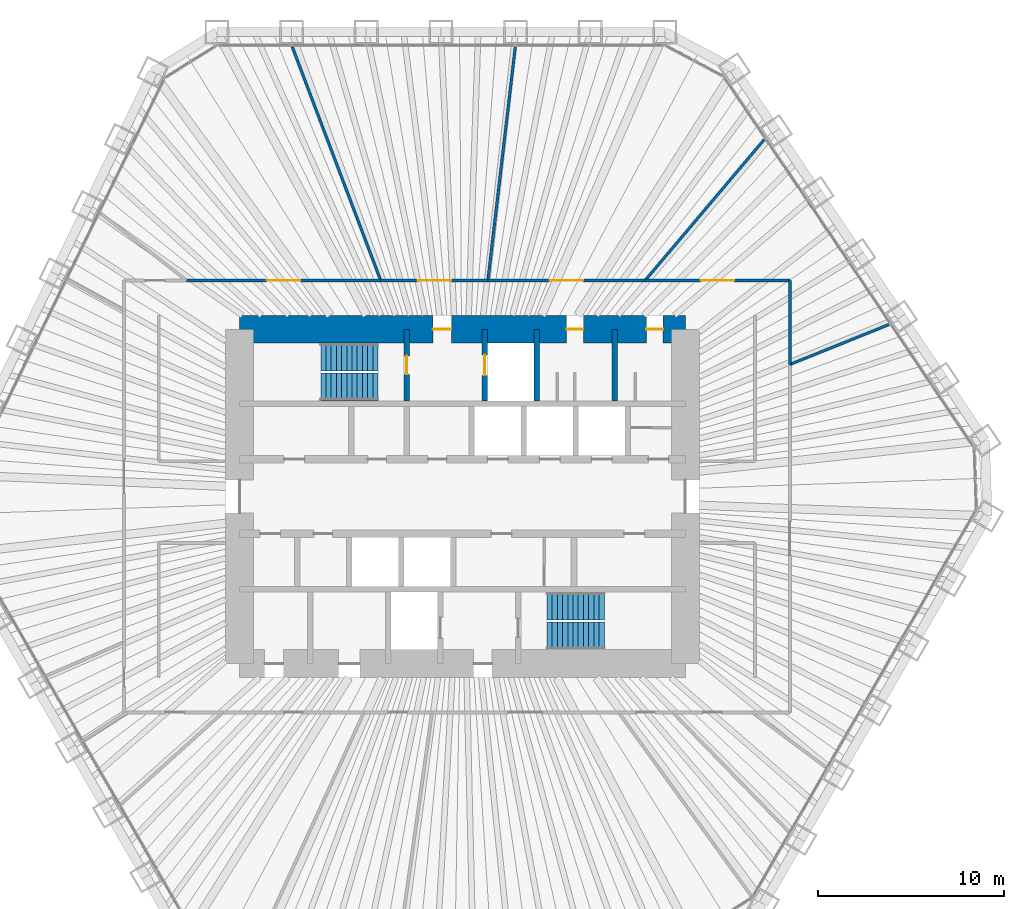
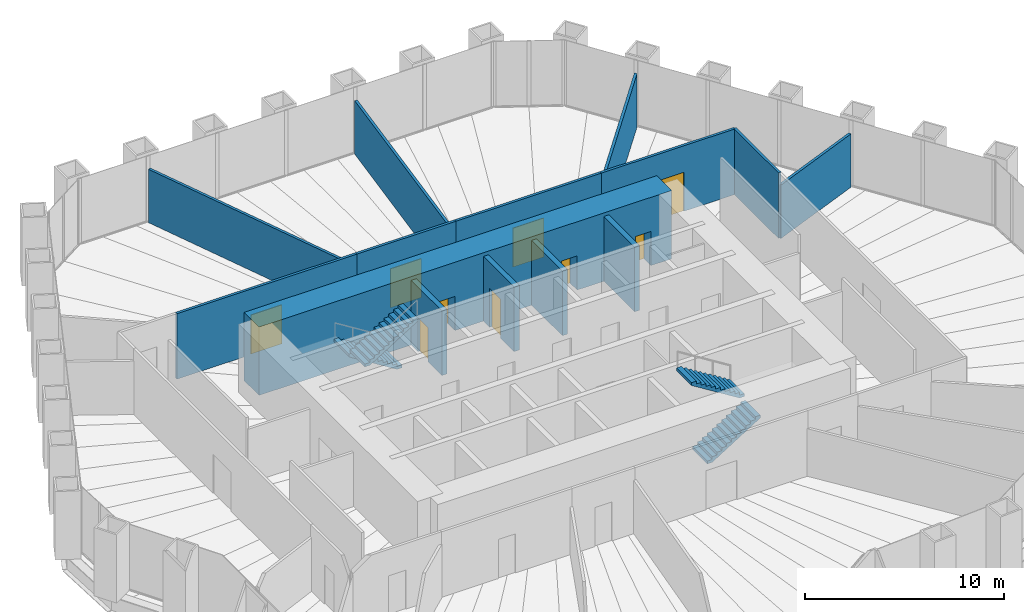
# One storey, part 12 of 13: 14 walls, 9 doors, 4 stair flights, 9 openings, 2 elements without a shape of their own.
"""IFC4 building model written with IfcOpenShell, lengths in metres."""

from ifc_helpers import new_model, si_unit, direction, frame, frame_2d, origin, place, context, subcontext, project, spatial, polyline, rectangle, outline, extrude, material, layer, layer_set, type_object, element, fill, aggregate, save


model = new_model("IFC4")

# Units and contexts
model_context = context("Model", 3, precision=1e-05, world=origin(), true_north=direction((0.0, 1.0)))
body_context = subcontext(model_context, "Body", "Model", "MODEL_VIEW")
ifc_project = project(units=[si_unit("LENGTHUNIT", "METRE"), si_unit("AREAUNIT", "SQUARE_METRE"), si_unit("VOLUMEUNIT", "CUBIC_METRE"), si_unit("PLANEANGLEUNIT", "RADIAN"), si_unit("MASSUNIT", "GRAM", prefix="KILO")], contexts=[model_context])

# Site, building, storey
site_placement = place(None, origin())
site = spatial("IfcSite", under=ifc_project, at=site_placement, CompositionType="ELEMENT")
building_placement = place(site_placement, origin())
building = spatial("IfcBuilding", under=site, at=building_placement, Name="Qingtian Harvest Tower", CompositionType="ELEMENT")
storey_placement = place(building_placement, frame((0.0, 0.0, 161.800048828125)))
storey = spatial("IfcBuildingStorey", under=building, at=storey_placement, Name="L34", CompositionType="ELEMENT", Elevation=161.800048828125)

# Wall, opening, door
ifc_material_1 = material(Name="Precast concrete shaft panel", Category="concrete")
ifc_layer_1 = layer(ifc_material_1, 0.300048828125)
ifc_layer_set_1 = layer_set([ifc_layer_1], Name="Core shaft partition SW1 300")
wall_type_1 = type_object("IfcWallType", Name="Core shaft partition SW1 300", PredefinedType="PARTITIONING", material=ifc_layer_set_1)
wall_1_placement = place(storey_placement, frame((-3.0, 5.14990234375, 0.0), z_axis=(0.0, 0.0, 1.0), x_axis=(0.0, 1.0, 0.0)))
wall_1 = element("IfcWall", 1, at=wall_1_placement, inside=storey, type_object=wall_type_1, Name="Core shaft partition XN1 L34", PredefinedType="PARTITIONING", context=body_context, shape_type="SweptSolid", body=[
    extrude(rectangle(XDim=3.85009765625, YDim=0.300048828125, at=frame_2d((1.925048828125, 0.0))), origin(), (0.0, 0.0, 1.0), 3.97998046875),
])
opening_1_placement = place(wall_1_placement, frame((1.425048828125, 0.0, 0.0)))
opening_1 = element("IfcOpeningElement", 2, at=opening_1_placement, cuts=wall_1, Name="Opening FD1", PredefinedType="OPENING", context=body_context, shape_type="SweptSolid", body=[
    extrude(rectangle(XDim=1.0, YDim=2.10009765625, at=frame_2d((0.5, 1.050048828125))), frame((0.0, 0.159912109375, 0.0), z_axis=(0.0, -1.0, 0.0), x_axis=(1.0, 0.0, 0.0)), (0.0, 0.0, 1.0), 0.320068359375),
])
ifc_material_2 = material(Name="Steel-faced door leaf", Category="steel")
door_type_1 = type_object("IfcDoorType", Name="Fire door FD1 single 1 HR", OperationType="SINGLE_SWING_LEFT", PredefinedType="DOOR", material=ifc_material_2)
door_1_placement = place(opening_1_placement, origin())
door_1 = element("IfcDoor", 3, at=door_1_placement, inside=storey, type_object=door_type_1, Name="S1 door L34", OperationType="SINGLE_SWING_LEFT", OverallHeight=2.10009765625, OverallWidth=1.0, PredefinedType="DOOR", context=body_context, shape_type="SweptSolid", body=[
    extrude(rectangle(XDim=1.0, YDim=2.10009765625, at=frame_2d((0.5, 1.050048828125))), frame((0.0, 0.02490234375, 0.0), z_axis=(0.0, -1.0, 0.0), x_axis=(1.0, 0.0, 0.0)), (0.0, 0.0, 1.0), 0.050048828125),
])
fill(opening_1, door_1)

wall_2_placement = place(storey_placement, frame((1.199951171875, 5.14990234375, 0.0), z_axis=(0.0, 0.0, 1.0), x_axis=(0.0, 1.0, 0.0)))
wall_2 = element("IfcWall", 4, at=wall_2_placement, inside=storey, type_object=wall_type_1, Name="Core shaft partition XN2 L34", PredefinedType="PARTITIONING", context=body_context, shape_type="SweptSolid", body=[
    extrude(rectangle(XDim=3.85009765625, YDim=0.300048828125, at=frame_2d((1.925048828125, 0.0))), origin(), (0.0, 0.0, 1.0), 3.97998046875),
])
opening_2_placement = place(wall_2_placement, frame((1.375, 0.0, 0.0)))
opening_2 = element("IfcOpeningElement", 5, at=opening_2_placement, cuts=wall_2, Name="Opening LD1", PredefinedType="OPENING", context=body_context, shape_type="SweptSolid", body=[
    extrude(rectangle(XDim=1.10009765625, YDim=2.39990234375, at=frame_2d((0.550048828125, 1.199951171875))), frame((0.0, 0.159912109375, 0.0), z_axis=(0.0, -1.0, 0.0), x_axis=(1.0, 0.0, 0.0)), (0.0, 0.0, 1.0), 0.320068359375),
])
ifc_material_3 = material(Name="Stainless steel lift landing door", Category="steel")
door_type_2 = type_object("IfcDoorType", Name="Lift landing door LD1 1 HR", OperationType="DOUBLE_DOOR_SLIDING", PredefinedType="DOOR", material=ifc_material_3)
door_2_placement = place(opening_2_placement, origin())
door_2 = element("IfcDoor", 6, at=door_2_placement, inside=storey, type_object=door_type_2, Name="FL1 landing door L34", OperationType="DOUBLE_DOOR_SLIDING", OverallHeight=2.39990234375, OverallWidth=1.10009765625, PredefinedType="DOOR", context=body_context, shape_type="SweptSolid", body=[
    extrude(rectangle(XDim=1.10009765625, YDim=2.39990234375, at=frame_2d((0.550048828125, 1.199951171875))), frame((0.0, 0.02490234375, 0.0), z_axis=(0.0, -1.0, 0.0), x_axis=(1.0, 0.0, 0.0)), (0.0, 0.0, 1.0), 0.050048828125),
])
fill(opening_2, door_2)

# Walls
for number, where, z_axis, x_axis, name in (
    (7, (4.0, 5.14990234375, 0.0), (0.0, 0.0, 1.0), (0.0, 1.0, 0.0), "Core shaft partition XN3 L34"),
    (8, (8.199951171875, 5.14990234375, 0.0), (0.0, 0.0, 1.0), (0.0, 1.0, 0.0), "Core shaft partition XN4 L34"),
):
    element("IfcWall", number, at=place(storey_placement, frame(where, z_axis=z_axis, x_axis=x_axis)), inside=storey, type_object=wall_type_1, Name=name, PredefinedType="PARTITIONING", context=body_context, shape_type="SweptSolid", body=[
        extrude(rectangle(XDim=3.85009765625, YDim=0.300048828125, at=frame_2d((1.925048828125, 0.0))), origin(), (0.0, 0.0, 1.0), 3.97998046875),
    ])

# Wall, openings, doors
ifc_material_4 = material(Name="Concrete fc' 70 MPa", Category="concrete")
ifc_layer_2 = layer(ifc_material_4, 1.5)
ifc_layer_set_2 = layer_set([ifc_layer_2], Name="Core wall RC1 1500")
wall_type_2 = type_object("IfcWallType", Name="Core wall RC1 1500", PredefinedType="SHEAR", material=ifc_layer_set_2)
wall_3_placement = place(storey_placement, frame((-12.0, 9.0, 0.0), z_axis=(0.0, 0.0, 1.0), x_axis=(1.0, 0.0, 0.0)))
wall_3 = element("IfcWall", 9, at=wall_3_placement, inside=storey, type_object=wall_type_2, Name="Core wall CN L34", PredefinedType="SHEAR", context=body_context, shape_type="SweptSolid", body=[
    extrude(rectangle(XDim=24.0, YDim=1.5, at=frame_2d((12.0, 0.0))), origin(), (0.0, 0.0, 1.0), 4.199951171875),
])
opening_3_placement = place(wall_3_placement, frame((10.39990234375, 0.0, 0.0)))
opening_3 = element("IfcOpeningElement", 10, at=opening_3_placement, cuts=wall_3, Name="Opening FD1", PredefinedType="OPENING", context=body_context, shape_type="SweptSolid", body=[
    extrude(rectangle(XDim=1.0, YDim=2.10009765625, at=frame_2d((0.5, 1.050048828125))), frame((0.0, 0.760009765625, 0.0), z_axis=(0.0, -1.0, 0.0), x_axis=(1.0, 0.0, 0.0)), (0.0, 0.0, 1.0), 1.52001953125),
])
opening_4_placement = place(wall_3_placement, frame((17.60009765625, 0.0, 0.0)))
opening_4 = element("IfcOpeningElement", 11, at=opening_4_placement, cuts=wall_3, Name="Opening D1", PredefinedType="OPENING", context=body_context, shape_type="SweptSolid", body=[
    extrude(rectangle(XDim=0.89990234375, YDim=2.10009765625, at=frame_2d((0.449951171875, 1.050048828125))), frame((0.0, 0.760009765625, 0.0), z_axis=(0.0, -1.0, 0.0), x_axis=(1.0, 0.0, 0.0)), (0.0, 0.0, 1.0), 1.52001953125),
])
opening_5_placement = place(wall_3_placement, frame((21.89990234375, 0.0, 0.0)))
opening_5 = element("IfcOpeningElement", 12, at=opening_5_placement, cuts=wall_3, Name="Opening D1", PredefinedType="OPENING", context=body_context, shape_type="SweptSolid", body=[
    extrude(rectangle(XDim=0.89990234375, YDim=2.10009765625, at=frame_2d((0.449951171875, 1.050048828125))), frame((0.0, 0.760009765625, 0.0), z_axis=(0.0, -1.0, 0.0), x_axis=(1.0, 0.0, 0.0)), (0.0, 0.0, 1.0), 1.52001953125),
])
door_3_placement = place(opening_3_placement, origin())
door_3 = element("IfcDoor", 13, at=door_3_placement, inside=storey, type_object=door_type_1, Name="V1 door L34", OperationType="SINGLE_SWING_RIGHT", OverallHeight=2.10009765625, OverallWidth=1.0, PredefinedType="DOOR", context=body_context, shape_type="SweptSolid", body=[
    extrude(rectangle(XDim=1.0, YDim=2.10009765625, at=frame_2d((0.5, 1.050048828125))), frame((0.0, 0.02490234375, 0.0), z_axis=(0.0, -1.0, 0.0), x_axis=(1.0, 0.0, 0.0)), (0.0, 0.0, 1.0), 0.050048828125),
])
fill(opening_3, door_3)
ifc_material_5 = material(Name="Laminated timber door leaf", Category="wood")
door_type_3 = type_object("IfcDoorType", Name="Toilet door D1 single", OperationType="SINGLE_SWING_LEFT", PredefinedType="DOOR", material=ifc_material_5)
door_4_placement = place(opening_4_placement, origin())
door_4 = element("IfcDoor", 14, at=door_4_placement, inside=storey, type_object=door_type_3, Name="WCM door L34", OperationType="SINGLE_SWING_LEFT", OverallHeight=2.10009765625, OverallWidth=0.89990234375, PredefinedType="DOOR", context=body_context, shape_type="SweptSolid", body=[
    extrude(rectangle(XDim=0.89990234375, YDim=2.10009765625, at=frame_2d((0.449951171875, 1.050048828125))), frame((0.0, 0.02490234375, 0.0), z_axis=(0.0, -1.0, 0.0), x_axis=(1.0, 0.0, 0.0)), (0.0, 0.0, 1.0), 0.050048828125),
])
fill(opening_4, door_4)
door_5_placement = place(opening_5_placement, origin())
door_5 = element("IfcDoor", 15, at=door_5_placement, inside=storey, type_object=door_type_3, Name="WCF door L34", OperationType="SINGLE_SWING_LEFT", OverallHeight=2.10009765625, OverallWidth=0.89990234375, PredefinedType="DOOR", context=body_context, shape_type="SweptSolid", body=[
    extrude(rectangle(XDim=0.89990234375, YDim=2.10009765625, at=frame_2d((0.449951171875, 1.050048828125))), frame((0.0, 0.02490234375, 0.0), z_axis=(0.0, -1.0, 0.0), x_axis=(1.0, 0.0, 0.0)), (0.0, 0.0, 1.0), 0.050048828125),
])
fill(opening_5, door_5)

# Wall
ifc_material_6 = material(Name="Gypsum board on steel studs", Category="steel")
ifc_layer_3 = layer(ifc_material_6, 0.14990234375)
ifc_layer_set_3 = layer_set([ifc_layer_3], Name="Partition PT1 150")
wall_type_3 = type_object("IfcWallType", Name="Partition PT1 150", PredefinedType="PARTITIONING", material=ifc_layer_set_3)
wall_4_placement = place(storey_placement, frame((2.843017578125, 24.20068359375, 0.0), z_axis=(0.0, 0.0, 1.0), x_axis=(-0.116670084723, -0.993170726175, 0.0)))
element("IfcWall", 16, at=wall_4_placement, inside=storey, type_object=wall_type_3, Name="Meeting room wall L34", PredefinedType="PARTITIONING", context=body_context, shape_type="SweptSolid", body=[
    extrude(rectangle(XDim=12.662109375, YDim=0.14990234375, at=frame_2d((6.3310546875, 0.0))), origin(), (0.0, 0.0, 1.0), 3.280029296875),
])

# Wall, opening, door
wall_5_placement = place(storey_placement, frame((1.36572265625, 11.625, 0.0), z_axis=(0.0, 0.0, 1.0), x_axis=(1.0, 0.0, 0.0)))
wall_5 = element("IfcWall", 17, at=wall_5_placement, inside=storey, type_object=wall_type_3, Name="Meeting room wall L34", PredefinedType="PARTITIONING", context=body_context, shape_type="SweptSolid", body=[
    extrude(rectangle(XDim=8.460205078125, YDim=0.14990234375, at=frame_2d((4.22998046875, 0.0))), origin(), (0.0, 0.0, 1.0), 4.030029296875),
])
opening_6_placement = place(wall_5_placement, frame((3.330078125, 0.0, 0.0)))
opening_6 = element("IfcOpeningElement", 18, at=opening_6_placement, cuts=wall_5, Name="Opening D3", PredefinedType="OPENING", context=body_context, shape_type="SweptSolid", body=[
    extrude(rectangle(XDim=1.800048828125, YDim=2.39990234375, at=frame_2d((0.89990234375, 1.199951171875))), frame((0.0, 0.0849609375, 0.0), z_axis=(0.0, -1.0, 0.0), x_axis=(1.0, 0.0, 0.0)), (0.0, 0.0, 1.0), 0.169921875),
])
ifc_material_7 = material(Name="Laminated timber door leaf", Category="wood")
door_type_4 = type_object("IfcDoorType", Name="Room door D3 double", OperationType="DOUBLE_DOOR_DOUBLE_SWING", PredefinedType="DOOR", material=ifc_material_7)
door_6_placement = place(opening_6_placement, origin())
door_6 = element("IfcDoor", 19, at=door_6_placement, inside=storey, type_object=door_type_4, Name="Meeting room door L34", OperationType="DOUBLE_DOOR_DOUBLE_SWING", OverallHeight=2.39990234375, OverallWidth=1.800048828125, PredefinedType="DOOR", context=body_context, shape_type="SweptSolid", body=[
    extrude(rectangle(XDim=1.800048828125, YDim=2.39990234375, at=frame_2d((0.89990234375, 1.199951171875))), frame((0.0, 0.02490234375, 0.0), z_axis=(0.0, -1.0, 0.0), x_axis=(1.0, 0.0, 0.0)), (0.0, 0.0, 1.0), 0.050048828125),
])
fill(opening_6, door_6)

# Wall
wall_6_placement = place(storey_placement, frame((16.2373046875, 19.21044921875, 0.0), z_axis=(0.0, 0.0, 1.0), x_axis=(-0.645526723652, -0.763737683404, 0.0)))
element("IfcWall", 20, at=wall_6_placement, inside=storey, type_object=wall_type_3, Name="Meeting room wall L34", PredefinedType="PARTITIONING", context=body_context, shape_type="SweptSolid", body=[
    extrude(rectangle(XDim=9.93212890625, YDim=0.14990234375, at=frame_2d((4.966064453125, 0.0))), origin(), (0.0, 0.0, 1.0), 3.280029296875),
])

# Wall, opening, door
wall_7_placement = place(storey_placement, frame((9.825927734375, 11.625, 0.0), z_axis=(0.0, 0.0, 1.0), x_axis=(1.0, 0.0, 0.0)))
wall_7 = element("IfcWall", 21, at=wall_7_placement, inside=storey, type_object=wall_type_3, Name="Meeting room wall L34", PredefinedType="PARTITIONING", context=body_context, shape_type="SweptSolid", body=[
    extrude(rectangle(XDim=7.799072265625, YDim=0.14990234375, at=frame_2d((3.8994140625, 0.0))), origin(), (0.0, 0.0, 1.0), 4.030029296875),
])
opening_7_placement = place(wall_7_placement, frame((2.99951171875, 0.0, 0.0)))
opening_7 = element("IfcOpeningElement", 22, at=opening_7_placement, cuts=wall_7, Name="Opening D3", PredefinedType="OPENING", context=body_context, shape_type="SweptSolid", body=[
    extrude(rectangle(XDim=1.800048828125, YDim=2.39990234375, at=frame_2d((0.89990234375, 1.199951171875))), frame((0.0, 0.0849609375, 0.0), z_axis=(0.0, -1.0, 0.0), x_axis=(1.0, 0.0, 0.0)), (0.0, 0.0, 1.0), 0.169921875),
])
door_7_placement = place(opening_7_placement, origin())
door_7 = element("IfcDoor", 23, at=door_7_placement, inside=storey, type_object=door_type_4, Name="Meeting room door L34", OperationType="DOUBLE_DOOR_DOUBLE_SWING", OverallHeight=2.39990234375, OverallWidth=1.800048828125, PredefinedType="DOOR", context=body_context, shape_type="SweptSolid", body=[
    extrude(rectangle(XDim=1.800048828125, YDim=2.39990234375, at=frame_2d((0.89990234375, 1.199951171875))), frame((0.0, 0.02490234375, 0.0), z_axis=(0.0, -1.0, 0.0), x_axis=(1.0, 0.0, 0.0)), (0.0, 0.0, 1.0), 0.050048828125),
])
fill(opening_7, door_7)

# Walls
wall_8_placement = place(storey_placement, frame((17.625, 11.625, 0.0), z_axis=(0.0, 0.0, 1.0), x_axis=(0.0, -1.0, 0.0)))
element("IfcWall", 24, at=wall_8_placement, inside=storey, type_object=wall_type_3, Name="Meeting room wall L34", PredefinedType="PARTITIONING", context=body_context, shape_type="SweptSolid", body=[
    extrude(rectangle(XDim=4.51904296875, YDim=0.14990234375, at=frame_2d((2.259521484375, 0.0))), origin(), (0.0, 0.0, 1.0), 4.030029296875),
])
wall_9_placement = place(storey_placement, frame((22.951416015625, 9.253662109375, 0.0), z_axis=(0.0, 0.0, 1.0), x_axis=(-0.927444087873, -0.373961848147, 0.0)))
element("IfcWall", 25, at=wall_9_placement, inside=storey, type_object=wall_type_3, Name="Office suite wall L34", PredefinedType="PARTITIONING", context=body_context, shape_type="SweptSolid", body=[
    extrude(rectangle(XDim=5.7431640625, YDim=0.14990234375, at=frame_2d((2.87158203125, 0.0))), origin(), (0.0, 0.0, 1.0), 3.280029296875),
])

# Wall, opening, door
wall_10_placement = place(storey_placement, frame((-14.857177734375, 11.625, 0.0), z_axis=(0.0, 0.0, 1.0), x_axis=(1.0, 0.0, 0.0)))
wall_10 = element("IfcWall", 26, at=wall_10_placement, inside=storey, type_object=wall_type_3, Name="Office suite wall L34", PredefinedType="PARTITIONING", context=body_context, shape_type="SweptSolid", body=[
    extrude(rectangle(XDim=10.45458984375, YDim=0.14990234375, at=frame_2d((5.227294921875, 0.0))), origin(), (0.0, 0.0, 1.0), 4.030029296875),
])
opening_8_placement = place(wall_10_placement, frame((4.327392578125, 0.0, 0.0)))
opening_8 = element("IfcOpeningElement", 27, at=opening_8_placement, cuts=wall_10, Name="Opening D3", PredefinedType="OPENING", context=body_context, shape_type="SweptSolid", body=[
    extrude(rectangle(XDim=1.800048828125, YDim=2.39990234375, at=frame_2d((0.89990234375, 1.199951171875))), frame((0.0, 0.0849609375, 0.0), z_axis=(0.0, -1.0, 0.0), x_axis=(1.0, 0.0, 0.0)), (0.0, 0.0, 1.0), 0.169921875),
])
door_8_placement = place(opening_8_placement, origin())
door_8 = element("IfcDoor", 28, at=door_8_placement, inside=storey, type_object=door_type_4, Name="Office suite door L34", OperationType="DOUBLE_DOOR_DOUBLE_SWING", OverallHeight=2.39990234375, OverallWidth=1.800048828125, PredefinedType="DOOR", context=body_context, shape_type="SweptSolid", body=[
    extrude(rectangle(XDim=1.800048828125, YDim=2.39990234375, at=frame_2d((0.89990234375, 1.199951171875))), frame((0.0, 0.02490234375, 0.0), z_axis=(0.0, -1.0, 0.0), x_axis=(1.0, 0.0, 0.0)), (0.0, 0.0, 1.0), 0.050048828125),
])
fill(opening_8, door_8)

# Wall
wall_11_placement = place(storey_placement, frame((-9.167236328125, 24.20654296875, 0.0), z_axis=(0.0, 0.0, 1.0), x_axis=(0.354156368181, -0.935186220427, 0.0)))
element("IfcWall", 29, at=wall_11_placement, inside=storey, type_object=wall_type_3, Name="Office suite wall L34", PredefinedType="PARTITIONING", context=body_context, shape_type="SweptSolid", body=[
    extrude(rectangle(XDim=13.45361328125, YDim=0.14990234375, at=frame_2d((6.726806640625, 0.0))), origin(), (0.0, 0.0, 1.0), 3.280029296875),
])

# Wall, opening, door
wall_12_placement = place(storey_placement, frame((-4.402587890625, 11.625, 0.0), z_axis=(0.0, 0.0, 1.0), x_axis=(1.0, 0.0, 0.0)))
wall_12 = element("IfcWall", 30, at=wall_12_placement, inside=storey, type_object=wall_type_3, Name="Office suite wall L34", PredefinedType="PARTITIONING", context=body_context, shape_type="SweptSolid", body=[
    extrude(rectangle(XDim=5.768310546875, YDim=0.14990234375, at=frame_2d((2.88427734375, 0.0))), origin(), (0.0, 0.0, 1.0), 4.030029296875),
])
opening_9_placement = place(wall_12_placement, frame((1.984130859375, 0.0, 0.0)))
opening_9 = element("IfcOpeningElement", 31, at=opening_9_placement, cuts=wall_12, Name="Opening D3", PredefinedType="OPENING", context=body_context, shape_type="SweptSolid", body=[
    extrude(rectangle(XDim=1.800048828125, YDim=2.39990234375, at=frame_2d((0.89990234375, 1.199951171875))), frame((0.0, 0.0849609375, 0.0), z_axis=(0.0, -1.0, 0.0), x_axis=(1.0, 0.0, 0.0)), (0.0, 0.0, 1.0), 0.169921875),
])
door_9_placement = place(opening_9_placement, origin())
door_9 = element("IfcDoor", 32, at=door_9_placement, inside=storey, type_object=door_type_4, Name="Office suite door L34", OperationType="DOUBLE_DOOR_DOUBLE_SWING", OverallHeight=2.39990234375, OverallWidth=1.800048828125, PredefinedType="DOOR", context=body_context, shape_type="SweptSolid", body=[
    extrude(rectangle(XDim=1.800048828125, YDim=2.39990234375, at=frame_2d((0.89990234375, 1.199951171875))), frame((0.0, 0.02490234375, 0.0), z_axis=(0.0, -1.0, 0.0), x_axis=(1.0, 0.0, 0.0)), (0.0, 0.0, 1.0), 0.050048828125),
])
fill(opening_9, door_9)

# Stair, stair flights
ifc_material_8 = material(Name="Concrete fc' 35 MPa", Category="concrete")
stair_type = type_object("IfcStairType", Name="Special stair ST3 4200", PredefinedType="HALF_TURN_STAIR", material=ifc_material_8)
stair_1_placement = place(storey_placement, origin())
stair_1 = element("IfcStair", 33, at=stair_1_placement, inside=storey, type_object=stair_type, Name="Special stair S1 L34", PredefinedType="HALF_TURN_STAIR")
ifc_material_9 = material(Name="Concrete fc' 35 MPa", Category="concrete")
stair_flight_type = type_object("IfcStairFlightType", Name="Stair flight SF3 4200", PredefinedType="STRAIGHT", material=ifc_material_9)
stair_flight_1_placement = place(storey_placement, frame((-4.550048828125, 7.5, 0.0), z_axis=(0.0, 0.0, 1.0), x_axis=(-1.0, 0.0, 0.0)))
stair_flight_1 = element("IfcStairFlight", 34, at=stair_flight_1_placement, type_object=stair_flight_type, Name="S1 flight 1", NumberOfRisers=12, NumberOfTreads=11, PredefinedType="STRAIGHT", RiserHeight=0.175, TreadLength=0.28, context=body_context, shape_type="SweptSolid", body=[
    extrude(outline(polyline([(0.0, 0.0), (0.0, 0.175048828125), (0.280029296875, 0.175048828125), (0.280029296875, 0.35009765625), (0.56005859375, 0.35009765625), (0.56005859375, 0.52490234375), (0.840087890625, 0.52490234375), (0.840087890625, 0.699951171875), (1.1201171875, 0.699951171875), (1.1201171875, 0.875), (1.39990234375, 0.875), (1.39990234375, 1.050048828125), (1.679931640625, 1.050048828125), (1.679931640625, 1.22509765625), (1.9599609375, 1.22509765625), (1.9599609375, 1.39990234375), (2.239990234375, 1.39990234375), (2.239990234375, 1.574951171875), (2.52001953125, 1.574951171875), (2.52001953125, 1.75), (2.800048828125, 1.75), (2.800048828125, 1.925048828125), (3.080078125, 1.925048828125), (3.080078125, 2.10009765625), (3.080078125, 1.748291015625), (0.28271484375, 0.0), (0.0, 0.0)])), frame((0.0, 0.75, 0.0), z_axis=(0.0, -1.0, 0.0), x_axis=(1.0, 0.0, 0.0)), (0.0, 0.0, 1.0), 1.5),
])
stair_flight_2_placement = place(storey_placement, frame((-7.6298828125, 5.89990234375, 2.099853515625), z_axis=(0.0, 0.0, 1.0), x_axis=(1.0, 0.0, 0.0)))
stair_flight_2 = element("IfcStairFlight", 35, at=stair_flight_2_placement, type_object=stair_flight_type, Name="S1 flight 2", NumberOfRisers=12, NumberOfTreads=11, PredefinedType="STRAIGHT", RiserHeight=0.175, TreadLength=0.28, context=body_context, shape_type="SweptSolid", body=[
    extrude(outline(polyline([(0.0, 0.0), (0.0, 0.175048828125), (0.280029296875, 0.175048828125), (0.280029296875, 0.35009765625), (0.56005859375, 0.35009765625), (0.56005859375, 0.52490234375), (0.840087890625, 0.52490234375), (0.840087890625, 0.699951171875), (1.1201171875, 0.699951171875), (1.1201171875, 0.875), (1.39990234375, 0.875), (1.39990234375, 1.050048828125), (1.679931640625, 1.050048828125), (1.679931640625, 1.22509765625), (1.9599609375, 1.22509765625), (1.9599609375, 1.39990234375), (2.239990234375, 1.39990234375), (2.239990234375, 1.574951171875), (2.52001953125, 1.574951171875), (2.52001953125, 1.75), (2.800048828125, 1.75), (2.800048828125, 1.925048828125), (3.080078125, 1.925048828125), (3.080078125, 2.10009765625), (3.080078125, 1.748291015625), (0.28271484375, 0.0), (0.0, 0.0)])), frame((0.0, 0.75, 0.0), z_axis=(0.0, -1.0, 0.0), x_axis=(1.0, 0.0, 0.0)), (0.0, 0.0, 1.0), 1.5),
])
aggregate(stair_1, [stair_flight_1, stair_flight_2])

stair_2_placement = place(storey_placement, origin())
stair_2 = element("IfcStair", 36, at=stair_2_placement, inside=storey, type_object=stair_type, Name="Special stair S2 L34", PredefinedType="HALF_TURN_STAIR")
stair_flight_3_placement = place(storey_placement, frame((4.550048828125, -7.5, 0.0), z_axis=(0.0, 0.0, 1.0), x_axis=(1.0, 0.0, 0.0)))
stair_flight_3 = element("IfcStairFlight", 37, at=stair_flight_3_placement, type_object=stair_flight_type, Name="S2 flight 1", NumberOfRisers=12, NumberOfTreads=11, PredefinedType="STRAIGHT", RiserHeight=0.175, TreadLength=0.28, context=body_context, shape_type="SweptSolid", body=[
    extrude(outline(polyline([(0.0, 0.0), (0.0, 0.175048828125), (0.280029296875, 0.175048828125), (0.280029296875, 0.35009765625), (0.56005859375, 0.35009765625), (0.56005859375, 0.52490234375), (0.840087890625, 0.52490234375), (0.840087890625, 0.699951171875), (1.1201171875, 0.699951171875), (1.1201171875, 0.875), (1.39990234375, 0.875), (1.39990234375, 1.050048828125), (1.679931640625, 1.050048828125), (1.679931640625, 1.22509765625), (1.9599609375, 1.22509765625), (1.9599609375, 1.39990234375), (2.239990234375, 1.39990234375), (2.239990234375, 1.574951171875), (2.52001953125, 1.574951171875), (2.52001953125, 1.75), (2.800048828125, 1.75), (2.800048828125, 1.925048828125), (3.080078125, 1.925048828125), (3.080078125, 2.10009765625), (3.080078125, 1.748291015625), (0.28271484375, 0.0), (0.0, 0.0)])), frame((0.0, 0.75, 0.0), z_axis=(0.0, -1.0, 0.0), x_axis=(1.0, 0.0, 0.0)), (0.0, 0.0, 1.0), 1.5),
])
stair_flight_4_placement = place(storey_placement, frame((7.6298828125, -5.89990234375, 2.099853515625), z_axis=(0.0, 0.0, 1.0), x_axis=(-1.0, 0.0, 0.0)))
stair_flight_4 = element("IfcStairFlight", 38, at=stair_flight_4_placement, type_object=stair_flight_type, Name="S2 flight 2", NumberOfRisers=12, NumberOfTreads=11, PredefinedType="STRAIGHT", RiserHeight=0.175, TreadLength=0.28, context=body_context, shape_type="SweptSolid", body=[
    extrude(outline(polyline([(0.0, 0.0), (0.0, 0.175048828125), (0.280029296875, 0.175048828125), (0.280029296875, 0.35009765625), (0.56005859375, 0.35009765625), (0.56005859375, 0.52490234375), (0.840087890625, 0.52490234375), (0.840087890625, 0.699951171875), (1.1201171875, 0.699951171875), (1.1201171875, 0.875), (1.39990234375, 0.875), (1.39990234375, 1.050048828125), (1.679931640625, 1.050048828125), (1.679931640625, 1.22509765625), (1.9599609375, 1.22509765625), (1.9599609375, 1.39990234375), (2.239990234375, 1.39990234375), (2.239990234375, 1.574951171875), (2.52001953125, 1.574951171875), (2.52001953125, 1.75), (2.800048828125, 1.75), (2.800048828125, 1.925048828125), (3.080078125, 1.925048828125), (3.080078125, 2.10009765625), (3.080078125, 1.748291015625), (0.28271484375, 0.0), (0.0, 0.0)])), frame((0.0, 0.75, 0.0), z_axis=(0.0, -1.0, 0.0), x_axis=(1.0, 0.0, 0.0)), (0.0, 0.0, 1.0), 1.5),
])
aggregate(stair_2, [stair_flight_3, stair_flight_4])

save(model, "model.ifc")
